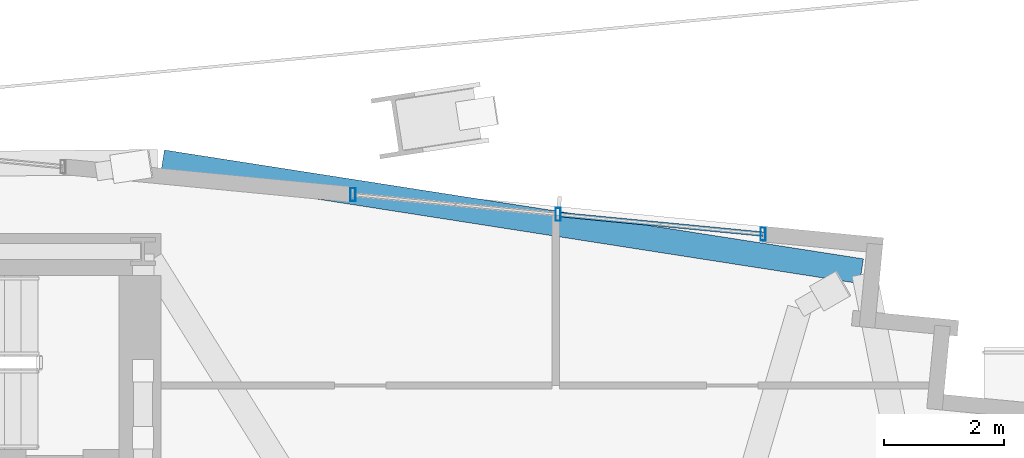
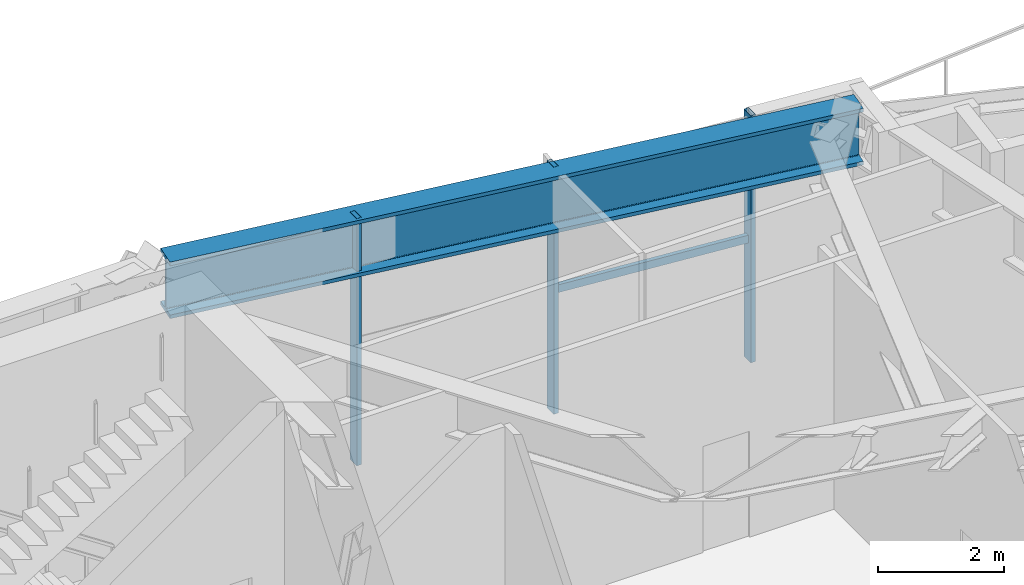
# One storey, part 14 of 23: 4 members, 1 beam, 1 element without a shape of its own.
"""IFC4 building model written with IfcOpenShell, lengths in metres."""

from ifc_helpers import new_model, si_unit, direction, frame, origin, origin_2d, place, context, subcontext, project, spatial, hollow_rectangle, i_section, extrude, source, transform, mapped, material, material_profile, profile_set, type_object, type_shapes, element, aggregate, save


model = new_model("IFC4")

# Units and contexts
model_context = context("Model", 3, precision=1e-05, world=origin(), true_north=direction((0.0, 1.0)))
body_context = subcontext(model_context, "Body", "Model", "MODEL_VIEW")
ifc_project = project(units=[si_unit("LENGTHUNIT", "METRE"), si_unit("AREAUNIT", "SQUARE_METRE"), si_unit("VOLUMEUNIT", "CUBIC_METRE"), si_unit("PLANEANGLEUNIT", "RADIAN"), si_unit("MASSUNIT", "GRAM", prefix="KILO")], contexts=[model_context])

# Site, building, storey
site_placement = place(None, origin())
site = spatial("IfcSite", under=ifc_project, at=site_placement, CompositionType="ELEMENT")
building_placement = place(site_placement, origin())
building = spatial("IfcBuilding", under=site, at=building_placement, Name="Astriad Promenade Condominiums", CompositionType="ELEMENT")
storey_placement = place(building_placement, frame((0.0, 0.0, 119.39990234375)))
storey = spatial("IfcBuildingStorey", under=building, at=storey_placement, Name="L34", CompositionType="ELEMENT", Elevation=119.39990234375)

# Beam
ifc_material_1 = material(Name="Steel ASTM A992 Grade 50", Category="steel")
ifc_material_profile_1 = material_profile(ifc_material_1, i_section(OverallWidth=0.4169921875, OverallDepth=1.093505859375, WebThickness=0.0390625, FlangeThickness=0.070068359375, FilletRadius=0.025390625, at=origin_2d()), Name="W40X503")
ifc_profile_set_1 = profile_set([ifc_material_profile_1], Name="Steel ASTM A992 Grade 50")
beam_type = type_object("IfcBeamType", Name="STEEL TRANSFER GIRDER W40X503", PredefinedType="BEAM", material=ifc_profile_set_1)
shared_shape_1 = source(origin(), body_context, "Body", "SweptSolid", [
    extrude(i_section(OverallWidth=0.4169921875, OverallDepth=1.093505859375, WebThickness=0.0390625, FlangeThickness=0.070068359375, FilletRadius=0.025390625, at=origin_2d()), origin(), (0.0, 0.0, 1.0), 11.77880859375),
])
type_shapes(beam_type, [shared_shape_1])
beam_placement = place(storey_placement, frame((57.562255859375, 23.669921875, 4.2333984375), z_axis=(-0.988083356593, 0.153919720712, 0.0), x_axis=(-0.153919720712, -0.988083356593, 0.0)))
element("IfcBeam", 1, at=beam_placement, inside=storey, type_object=beam_type, Name="Perimeter Spandrel Beam SP-N4-L34", PredefinedType="BEAM", context=body_context, shape_type="MappedRepresentation", body=[
    mapped(shared_shape_1, transform((0.0, 0.0, 0.0), scale=1.0)),
])

# Curtain wall, members
ifc_material_2 = material(Name="Anodised aluminium Black Dark Glass Unitised", Category="aluminium")
curtain_wall_type = type_object("IfcCurtainWallType", Name="CW-B34-DARK", PredefinedType="USERDEFINED", material=ifc_material_2)
curtain_wall_placement = place(storey_placement, origin())
curtain_wall = element("IfcCurtainWall", 2, at=curtain_wall_placement, inside=storey, type_object=curtain_wall_type, Name="CW-L34-N-4", ObjectType="UNITISED_CURTAIN_WALL", PredefinedType="USERDEFINED")
ifc_material_3 = material(Name="Anodised aluminium 6063-T6 Black", Category="aluminium")
ifc_material_profile_2 = material_profile(ifc_material_3, hollow_rectangle(XDim=0.0849609375, YDim=0.219970703125, WallThickness=0.0048828125, at=origin_2d()), Name="ALU-MUL-85X220")
ifc_profile_set_2 = profile_set([ifc_material_profile_2], Name="Anodised aluminium 6063-T6 Black")
member_type_1 = type_object("IfcMemberType", Name="MUL-ALU-MUL-85X220", PredefinedType="MULLION", material=ifc_profile_set_2)
shared_shape_2 = source(origin(), body_context, "Body", "SweptSolid", [
    extrude(hollow_rectangle(XDim=0.0849609375, YDim=0.219970703125, WallThickness=0.0048828125, at=origin_2d()), origin(), (0.0, 0.0, 1.0), 4.780029296875),
])
type_shapes(member_type_1, [shared_shape_2])
member_1_placement = place(storey_placement, frame((49.095703125, 24.945556640625, 0.0), z_axis=(0.0, 0.0, 1.0), x_axis=(1.0, 0.0, 0.0)))
member_1 = element("IfcMember", 3, at=member_1_placement, type_object=member_type_1, Name="CW-L34-N-4-MUL-00", PredefinedType="MULLION", context=body_context, shape_type="MappedRepresentation", body=[
    mapped(shared_shape_2, transform((0.0, 0.0, 0.0), scale=1.0)),
])
member_2_placement = place(storey_placement, frame((52.510009765625, 24.61669921875, 0.0), z_axis=(0.0, 0.0, 1.0), x_axis=(1.0, 0.0, 0.0)))
member_2 = element("IfcMember", 4, at=member_2_placement, type_object=member_type_1, Name="CW-L34-N-4-MUL-01", PredefinedType="MULLION", context=body_context, shape_type="MappedRepresentation", body=[
    mapped(shared_shape_2, transform((0.0, 0.0, 0.0), scale=1.0)),
])
member_3_placement = place(storey_placement, frame((55.92431640625, 24.2880859375, 0.0), z_axis=(0.0, 0.0, 1.0), x_axis=(1.0, 0.0, 0.0)))
member_3 = element("IfcMember", 5, at=member_3_placement, type_object=member_type_1, Name="CW-L34-N-4-MUL-02", PredefinedType="MULLION", context=body_context, shape_type="MappedRepresentation", body=[
    mapped(shared_shape_2, transform((0.0, 0.0, 0.0), scale=1.0)),
])
ifc_material_profile_3 = material_profile(ifc_material_3, hollow_rectangle(XDim=0.074951171875, YDim=0.14990234375, WallThickness=0.004150390625, at=origin_2d()), Name="ALU-TRN-75X150")
ifc_profile_set_3 = profile_set([ifc_material_profile_3], Name="Anodised aluminium 6063-T6 Black")
member_type_2 = type_object("IfcMemberType", Name="TRN-ALU-TRN-75X150", PredefinedType="USERDEFINED", material=ifc_profile_set_3)
shared_shape_3 = source(origin(), body_context, "Body", "SweptSolid", [
    extrude(hollow_rectangle(XDim=0.074951171875, YDim=0.14990234375, WallThickness=0.004150390625, at=origin_2d()), origin(), (0.0, 0.0, 1.0), 3.43017578125),
])
type_shapes(member_type_2, [shared_shape_3])
member_4_placement = place(storey_placement, frame((52.510009765625, 24.61669921875, 2.35009765625), z_axis=(0.995400287667, -0.095803274022, 0.0), x_axis=(0.095803274022, 0.995400287667, 0.0)))
member_4 = element("IfcMember", 6, at=member_4_placement, type_object=member_type_2, Name="CW-L34-N-4-TRN-01-0", ObjectType="TRANSOM", PredefinedType="USERDEFINED", context=body_context, shape_type="MappedRepresentation", body=[
    mapped(shared_shape_3, transform((0.0, 0.0, 0.0), scale=1.0)),
])
aggregate(curtain_wall, [member_1, member_2, member_3, member_4])

save(model, "model.ifc")
